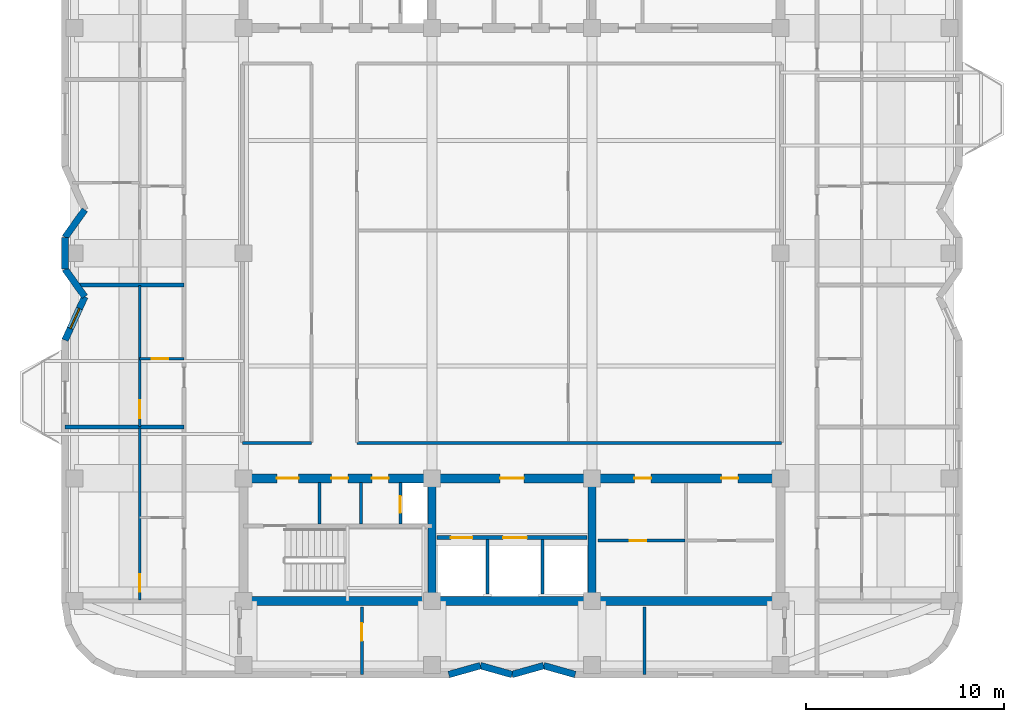
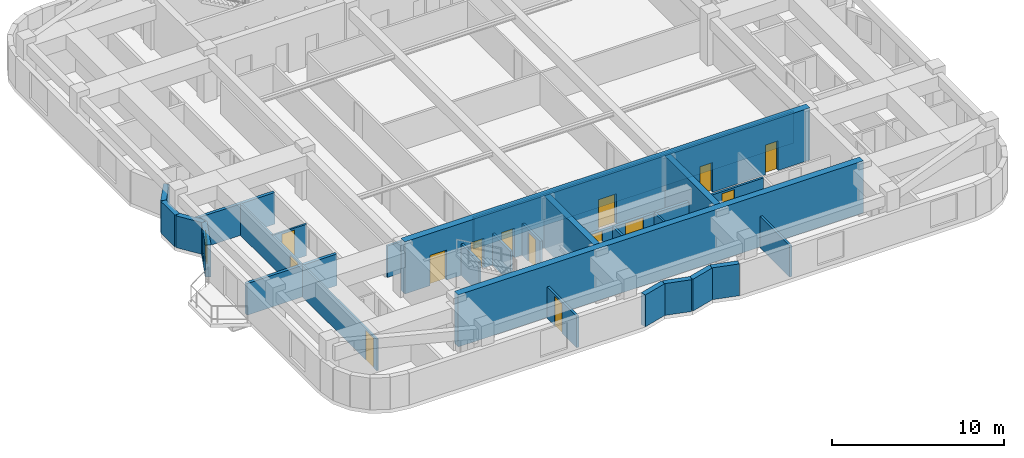
# One storey, part 3 of 9: 28 walls, 14 doors, 1 window, 15 openings.
"""IFC4 building model written with IfcOpenShell, lengths in metres."""

from ifc_helpers import new_model, si_unit, direction, frame, frame_2d, origin, place, context, subcontext, project, spatial, rectangle, extrude, material, layer, layer_set, type_object, element, fill, save


model = new_model("IFC4")

# Units and contexts
model_context = context("Model", 3, precision=1e-05, world=origin(), true_north=direction((0.0, 1.0)))
body_context = subcontext(model_context, "Body", "Model", "MODEL_VIEW")
ifc_project = project(units=[si_unit("LENGTHUNIT", "METRE"), si_unit("AREAUNIT", "SQUARE_METRE"), si_unit("VOLUMEUNIT", "CUBIC_METRE"), si_unit("PLANEANGLEUNIT", "RADIAN"), si_unit("MASSUNIT", "GRAM", prefix="KILO")], contexts=[model_context])

# Site, building, storey
site_placement = place(None, origin())
site = spatial("IfcSite", under=ifc_project, at=site_placement, CompositionType="ELEMENT")
building_placement = place(site_placement, origin())
building = spatial("IfcBuilding", under=site, at=building_placement, Name="Svetorya Sky Lyceum", CompositionType="ELEMENT")
storey_placement = place(building_placement, frame((0.0, 0.0, 222.10009765625)))
storey = spatial("IfcBuildingStorey", under=building, at=storey_placement, Name="L55", CompositionType="ELEMENT", Elevation=222.10009765625)

# Walls
ifc_material_1 = material(Name="Concrete C40/50", Category="concrete")
ifc_layer_1 = layer(ifc_material_1, 0.39990234375)
ifc_layer_set_1 = layer_set([ifc_layer_1], Name="Concrete C40/50")
wall_type_1 = type_object("IfcWallType", Name="WL-CORE-400", PredefinedType="SHEAR", material=ifc_layer_set_1)
for number, where, z_axis, x_axis, name in (
    (1, (35.14990234375, 10.824951171875, 0.0), (0.0, 0.0, 1.0), (0.0, 1.0, 0.0), "L55 SC Internal Shear Web WEB1"),
    (2, (43.25, 10.824951171875, 0.0), (0.0, 0.0, 1.0), (0.0, 1.0, 0.0), "L55 SC Internal Shear Web WEB2"),
):
    element("IfcWall", number, at=place(storey_placement, frame(where, z_axis=z_axis, x_axis=x_axis)), inside=storey, type_object=wall_type_1, Name=name, PredefinedType="SHEAR", context=body_context, shape_type="SweptSolid", body=[
        extrude(rectangle(XDim=5.75, YDim=0.39990234375, at=frame_2d((2.875, 0.0))), origin(), (0.0, 0.0, 1.0), 3.699951171875),
    ])
ifc_material_2 = material(Name="Concrete C50/60", Category="concrete")
ifc_layer_2 = layer(ifc_material_2, 0.449951171875)
ifc_layer_set_2 = layer_set([ifc_layer_2], Name="Concrete C50/60")
wall_type_2 = type_object("IfcWallType", Name="WL-CORE-450", PredefinedType="SHEAR", material=ifc_layer_set_2)
wall_1_placement = place(storey_placement, frame((52.800048828125, 10.60009765625, 0.0), z_axis=(0.0, 0.0, 1.0), x_axis=(-1.0, 0.0, 0.0)))
element("IfcWall", 3, at=wall_1_placement, inside=storey, type_object=wall_type_2, Name="L55 SC Outer Core Shear Wall", PredefinedType="SHEAR", context=body_context, shape_type="SweptSolid", body=[
    extrude(rectangle(XDim=27.199951171875, YDim=0.449951171875, at=frame_2d((13.60009765625, 0.0))), origin(), (0.0, 0.0, 1.0), 3.699951171875),
])

# Wall, openings, doors
wall_2_placement = place(storey_placement, frame((25.60009765625, 16.800048828125, 0.0), z_axis=(0.0, 0.0, 1.0), x_axis=(1.0, 0.0, 0.0)))
wall_2 = element("IfcWall", 4, at=wall_2_placement, inside=storey, type_object=wall_type_2, Name="L55 SC Inner Core Shear Wall", PredefinedType="SHEAR", context=body_context, shape_type="SweptSolid", body=[
    extrude(rectangle(XDim=27.199951171875, YDim=0.449951171875, at=frame_2d((13.60009765625, 0.0))), origin(), (0.0, 0.0, 1.0), 3.699951171875),
])
opening_1_placement = place(wall_2_placement, frame((1.699951171875, 0.0, 0.0)))
opening_1 = element("IfcOpeningElement", 5, at=opening_1_placement, cuts=wall_2, Name="Opening D-ST1", PredefinedType="OPENING", context=body_context, shape_type="SweptSolid", body=[
    extrude(rectangle(XDim=1.10009765625, YDim=2.14990234375, at=frame_2d((0.550048828125, 1.074951171875))), frame((0.0, 0.23486328125, 0.0), z_axis=(0.0, -1.0, 0.0), x_axis=(1.0, 0.0, 0.0)), (0.0, 0.0, 1.0), 0.469970703125),
])
opening_2_placement = place(wall_2_placement, frame((4.449951171875, 0.0, 0.0)))
opening_2 = element("IfcOpeningElement", 6, at=opening_2_placement, cuts=wall_2, Name="Opening D-CWC1", PredefinedType="OPENING", context=body_context, shape_type="SweptSolid", body=[
    extrude(rectangle(XDim=0.85009765625, YDim=2.10009765625, at=frame_2d((0.425048828125, 1.050048828125))), frame((0.0, 0.23486328125, 0.0), z_axis=(0.0, -1.0, 0.0), x_axis=(1.0, 0.0, 0.0)), (0.0, 0.0, 1.0), 0.469970703125),
])
opening_3_placement = place(wall_2_placement, frame((6.5, 0.0, 0.0)))
opening_3 = element("IfcOpeningElement", 7, at=opening_3_placement, cuts=wall_2, Name="Opening D-CWC1", PredefinedType="OPENING", context=body_context, shape_type="SweptSolid", body=[
    extrude(rectangle(XDim=0.85009765625, YDim=2.10009765625, at=frame_2d((0.425048828125, 1.050048828125))), frame((0.0, 0.23486328125, 0.0), z_axis=(0.0, -1.0, 0.0), x_axis=(1.0, 0.0, 0.0)), (0.0, 0.0, 1.0), 0.469970703125),
])
opening_4_placement = place(wall_2_placement, frame((13.0, 0.0, 0.0)))
opening_4 = element("IfcOpeningElement", 8, at=opening_4_placement, cuts=wall_2, Name="Opening D-FL1", PredefinedType="OPENING", context=body_context, shape_type="SweptSolid", body=[
    extrude(rectangle(XDim=1.199951171875, YDim=2.14990234375, at=frame_2d((0.60009765625, 1.074951171875))), frame((0.0, 0.23486328125, 0.0), z_axis=(0.0, -1.0, 0.0), x_axis=(1.0, 0.0, 0.0)), (0.0, 0.0, 1.0), 0.469970703125),
])
opening_5_placement = place(wall_2_placement, frame((19.800048828125, 0.0, 0.0)))
opening_5 = element("IfcOpeningElement", 9, at=opening_5_placement, cuts=wall_2, Name="Opening D-CWC1", PredefinedType="OPENING", context=body_context, shape_type="SweptSolid", body=[
    extrude(rectangle(XDim=0.85009765625, YDim=2.10009765625, at=frame_2d((0.425048828125, 1.050048828125))), frame((0.0, 0.23486328125, 0.0), z_axis=(0.0, -1.0, 0.0), x_axis=(1.0, 0.0, 0.0)), (0.0, 0.0, 1.0), 0.469970703125),
])
opening_6_placement = place(wall_2_placement, frame((24.199951171875, 0.0, 0.0)))
opening_6 = element("IfcOpeningElement", 10, at=opening_6_placement, cuts=wall_2, Name="Opening D-CWC1", PredefinedType="OPENING", context=body_context, shape_type="SweptSolid", body=[
    extrude(rectangle(XDim=0.85009765625, YDim=2.10009765625, at=frame_2d((0.425048828125, 1.050048828125))), frame((0.0, 0.23486328125, 0.0), z_axis=(0.0, -1.0, 0.0), x_axis=(1.0, 0.0, 0.0)), (0.0, 0.0, 1.0), 0.469970703125),
])
ifc_material_3 = material(Name="Fire-rated galvanized steel core service closet door", Category="steel")
door_type_1 = type_object("IfcDoorType", Name="DR-CWET-850", OperationType="SINGLE_SWING_LEFT", PredefinedType="DOOR", material=ifc_material_3)
door_1_placement = place(opening_2_placement, origin())
door_1 = element("IfcDoor", 11, at=door_1_placement, inside=storey, type_object=door_type_1, Name="L55 South Mop Closet Door", OperationType="SINGLE_SWING_LEFT", OverallHeight=2.10009765625, OverallWidth=0.85009765625, PredefinedType="DOOR", context=body_context, shape_type="SweptSolid", body=[
    extrude(rectangle(XDim=0.85009765625, YDim=2.10009765625, at=frame_2d((0.425048828125, 1.050048828125))), frame((0.0, 0.02490234375, 0.0), z_axis=(0.0, -1.0, 0.0), x_axis=(1.0, 0.0, 0.0)), (0.0, 0.0, 1.0), 0.050048828125),
])
fill(opening_2, door_1)
door_2_placement = place(opening_3_placement, origin())
door_2 = element("IfcDoor", 12, at=door_2_placement, inside=storey, type_object=door_type_1, Name="L55 South West WC Door", OperationType="SINGLE_SWING_RIGHT", OverallHeight=2.10009765625, OverallWidth=0.85009765625, PredefinedType="DOOR", context=body_context, shape_type="SweptSolid", body=[
    extrude(rectangle(XDim=0.85009765625, YDim=2.10009765625, at=frame_2d((0.425048828125, 1.050048828125))), frame((0.0, 0.02490234375, 0.0), z_axis=(0.0, -1.0, 0.0), x_axis=(1.0, 0.0, 0.0)), (0.0, 0.0, 1.0), 0.050048828125),
])
fill(opening_3, door_2)
door_3_placement = place(opening_5_placement, origin())
door_3 = element("IfcDoor", 13, at=door_3_placement, inside=storey, type_object=door_type_1, Name="L55 Housekeeping Door", OperationType="SINGLE_SWING_LEFT", OverallHeight=2.10009765625, OverallWidth=0.85009765625, PredefinedType="DOOR", context=body_context, shape_type="SweptSolid", body=[
    extrude(rectangle(XDim=0.85009765625, YDim=2.10009765625, at=frame_2d((0.425048828125, 1.050048828125))), frame((0.0, 0.02490234375, 0.0), z_axis=(0.0, -1.0, 0.0), x_axis=(1.0, 0.0, 0.0)), (0.0, 0.0, 1.0), 0.050048828125),
])
fill(opening_5, door_3)
door_4_placement = place(opening_6_placement, origin())
door_4 = element("IfcDoor", 14, at=door_4_placement, inside=storey, type_object=door_type_1, Name="L55 South WC Door", OperationType="SINGLE_SWING_RIGHT", OverallHeight=2.10009765625, OverallWidth=0.85009765625, PredefinedType="DOOR", context=body_context, shape_type="SweptSolid", body=[
    extrude(rectangle(XDim=0.85009765625, YDim=2.10009765625, at=frame_2d((0.425048828125, 1.050048828125))), frame((0.0, 0.02490234375, 0.0), z_axis=(0.0, -1.0, 0.0), x_axis=(1.0, 0.0, 0.0)), (0.0, 0.0, 1.0), 0.050048828125),
])
fill(opening_6, door_4)
ifc_material_4 = material(Name="Powder-coated insulated galvanized stair fire door")
door_type_2 = type_object("IfcDoorType", Name="DR-FIRE-1100", OperationType="SINGLE_SWING_LEFT", PredefinedType="DOOR", material=ifc_material_4)
door_5_placement = place(opening_1_placement, origin())
door_5 = element("IfcDoor", 15, at=door_5_placement, inside=storey, type_object=door_type_2, Name="L55 South Stair Airlock Door", OperationType="SINGLE_SWING_RIGHT", OverallHeight=2.14990234375, OverallWidth=1.10009765625, PredefinedType="DOOR", context=body_context, shape_type="SweptSolid", body=[
    extrude(rectangle(XDim=1.10009765625, YDim=2.14990234375, at=frame_2d((0.550048828125, 1.074951171875))), frame((0.0, 0.02490234375, 0.0), z_axis=(0.0, -1.0, 0.0), x_axis=(1.0, 0.0, 0.0)), (0.0, 0.0, 1.0), 0.050048828125),
])
fill(opening_1, door_5)
ifc_material_5 = material(Name="Powder-coated insulated galvanized fire door")
door_type_3 = type_object("IfcDoorType", Name="DR-FIRE-1200", OperationType="SINGLE_SWING_LEFT", PredefinedType="DOOR", material=ifc_material_5)
door_6_placement = place(opening_4_placement, origin())
door_6 = element("IfcDoor", 16, at=door_6_placement, inside=storey, type_object=door_type_3, Name="L55 South Firefighting Lift Lobby Door", OperationType="SINGLE_SWING_LEFT", OverallHeight=2.14990234375, OverallWidth=1.199951171875, PredefinedType="DOOR", context=body_context, shape_type="SweptSolid", body=[
    extrude(rectangle(XDim=1.199951171875, YDim=2.14990234375, at=frame_2d((0.60009765625, 1.074951171875))), frame((0.0, 0.02490234375, 0.0), z_axis=(0.0, -1.0, 0.0), x_axis=(1.0, 0.0, 0.0)), (0.0, 0.0, 1.0), 0.050048828125),
])
fill(opening_4, door_6)

# Walls
ifc_material_6 = material(Name="Putilovo limestone rainscreen on autoclaved cellular masonry", Category="masonry")
ifc_layer_3 = layer(ifc_material_6, 0.340087890625)
ifc_layer_set_3 = layer_set([ifc_layer_3], Name="Putilovo limestone rainscreen on autoclaved cellular masonry")
wall_type_3 = type_object("IfcWallType", Name="WL-EXT-340", PredefinedType="SOLIDWALL", material=ifc_layer_set_3)
wall_3_placement = place(storey_placement, frame((36.0, 6.8701171875, 0.0), z_axis=(0.0, 0.0, 1.0), x_axis=(0.962662902433, 0.270703040766, 0.0)))
element("IfcWall", 17, at=wall_3_placement, inside=storey, type_object=wall_type_3, Name="L55 Limestone Exterior Wall 7M", PredefinedType="SOLIDWALL", context=body_context, shape_type="SweptSolid", body=[
    extrude(rectangle(XDim=1.662109375, YDim=0.340087890625, at=frame_2d((0.8310546875, 0.0))), origin(), (0.0, 0.0, 1.0), 2.260009765625),
])
wall_4_placement = place(storey_placement, frame((37.60009765625, 7.320068359375, 0.0), z_axis=(0.0, 0.0, 1.0), x_axis=(0.962652136636, -0.270741322725, 0.0)))
element("IfcWall", 18, at=wall_4_placement, inside=storey, type_object=wall_type_3, Name="L55 Limestone Exterior Wall 8M", PredefinedType="SOLIDWALL", context=body_context, shape_type="SweptSolid", body=[
    extrude(rectangle(XDim=1.661865234375, YDim=0.340087890625, at=frame_2d((0.8310546875, 0.0))), origin(), (0.0, 0.0, 1.0), 2.260009765625),
])
wall_5_placement = place(storey_placement, frame((39.199951171875, 6.8701171875, 0.0), z_axis=(0.0, 0.0, 1.0), x_axis=(0.962662902433, 0.270703040766, 0.0)))
element("IfcWall", 19, at=wall_5_placement, inside=storey, type_object=wall_type_3, Name="L55 Limestone Exterior Wall 9M", PredefinedType="SOLIDWALL", context=body_context, shape_type="SweptSolid", body=[
    extrude(rectangle(XDim=1.662109375, YDim=0.340087890625, at=frame_2d((0.8310546875, 0.0))), origin(), (0.0, 0.0, 1.0), 2.260009765625),
])
wall_6_placement = place(storey_placement, frame((40.800048828125, 7.320068359375, 0.0), z_axis=(0.0, 0.0, 1.0), x_axis=(0.962652136636, -0.270741322725, 0.0)))
element("IfcWall", 20, at=wall_6_placement, inside=storey, type_object=wall_type_3, Name="L55 Limestone Exterior Wall 10M", PredefinedType="SOLIDWALL", context=body_context, shape_type="SweptSolid", body=[
    extrude(rectangle(XDim=1.661865234375, YDim=0.340087890625, at=frame_2d((0.8310546875, 0.0))), origin(), (0.0, 0.0, 1.0), 2.260009765625),
])
wall_7_placement = place(storey_placement, frame((17.570068359375, 30.39990234375, 0.0), z_axis=(0.0, 0.0, 1.0), x_axis=(-0.581265041318, -0.813714293681, 0.0)))
element("IfcWall", 21, at=wall_7_placement, inside=storey, type_object=wall_type_3, Name="L55 Limestone Exterior Wall 42M", PredefinedType="SOLIDWALL", context=body_context, shape_type="SweptSolid", body=[
    extrude(rectangle(XDim=1.720458984375, YDim=0.340087890625, at=frame_2d((0.8603515625, 0.0))), origin(), (0.0, 0.0, 1.0), 2.260009765625),
])
wall_8_placement = place(storey_placement, frame((16.570068359375, 29.0, 0.0), z_axis=(0.0, 0.0, 1.0), x_axis=(0.0, -1.0, 0.0)))
element("IfcWall", 22, at=wall_8_placement, inside=storey, type_object=wall_type_3, Name="L55 Limestone Exterior Wall 43M", PredefinedType="SOLIDWALL", context=body_context, shape_type="SweptSolid", body=[
    extrude(rectangle(XDim=1.60009765625, YDim=0.340087890625, at=frame_2d((0.800048828125, 0.0))), origin(), (0.0, 0.0, 1.0), 2.260009765625),
])
wall_9_placement = place(storey_placement, frame((16.570068359375, 27.39990234375, 0.0), z_axis=(0.0, 0.0, 1.0), x_axis=(0.581265041318, -0.813714293681, 0.0)))
element("IfcWall", 23, at=wall_9_placement, inside=storey, type_object=wall_type_3, Name="L55 Limestone Exterior Wall 44M", PredefinedType="SOLIDWALL", context=body_context, shape_type="SweptSolid", body=[
    extrude(rectangle(XDim=1.720458984375, YDim=0.340087890625, at=frame_2d((0.8603515625, 0.0))), origin(), (0.0, 0.0, 1.0), 2.260009765625),
])

# Wall, opening, window
wall_10_placement = place(storey_placement, frame((17.570068359375, 26.0, 0.0), z_axis=(0.0, 0.0, 1.0), x_axis=(-0.413810555983, -0.910363017569, 0.0)))
wall_10 = element("IfcWall", 24, at=wall_10_placement, inside=storey, type_object=wall_type_3, Name="L55 Limestone Exterior Wall 45M", PredefinedType="SOLIDWALL", context=body_context, shape_type="SweptSolid", body=[
    extrude(rectangle(XDim=2.41650390625, YDim=0.340087890625, at=frame_2d((1.208251953125, 0.0))), origin(), (0.0, 0.0, 1.0), 2.260009765625),
])
opening_7_placement = place(wall_10_placement, frame((0.658203125, 0.0, 0.449951171875)))
opening_7 = element("IfcOpeningElement", 25, at=opening_7_placement, cuts=wall_10, Name="Opening W-R3", PredefinedType="OPENING", context=body_context, shape_type="SweptSolid", body=[
    extrude(rectangle(XDim=1.10009765625, YDim=1.64990234375, at=frame_2d((0.550048828125, 0.824951171875))), frame((0.0, 0.179931640625, 0.0), z_axis=(0.0, -1.0, 0.0), x_axis=(1.0, 0.0, 0.0)), (0.0, 0.0, 1.0), 0.360107421875),
])
ifc_material_7 = material(Name="Thermally broken aluminium frame with triple low-E glazing", Category="aluminium")
window_type = type_object("IfcWindowType", Name="WN-RES-110", PartitioningType="SINGLE_PANEL", PredefinedType="WINDOW", material=ifc_material_7)
window_placement = place(opening_7_placement, origin())
window = element("IfcWindow", 26, at=window_placement, inside=storey, type_object=window_type, Name="L55 Facade Window W-R3.45M.1", OverallHeight=1.64990234375, OverallWidth=1.10009765625, PartitioningType="SINGLE_PANEL", PredefinedType="WINDOW", context=body_context, shape_type="SweptSolid", body=[
    extrude(rectangle(XDim=1.10009765625, YDim=1.64990234375, at=frame_2d((0.550048828125, 0.824951171875))), frame((0.0, 0.030029296875, 0.0), z_axis=(0.0, -1.0, 0.0), x_axis=(1.0, 0.0, 0.0)), (0.0, 0.0, 1.0), 0.06005859375),
])
fill(opening_7, window)

# Wall, opening, door
ifc_material_8 = material(Name="Twin-stud galvanized framing with double fireboard", Category="gypsum")
ifc_layer_4 = layer(ifc_material_8, 0.1201171875)
ifc_layer_set_4 = layer_set([ifc_layer_4], Name="Twin-stud galvanized framing with double fireboard")
wall_type_4 = type_object("IfcWallType", Name="WL-PART-120", PredefinedType="PARTITIONING", material=ifc_layer_set_4)
wall_11_placement = place(storey_placement, frame((20.35009765625, 10.639892578125, 0.0), z_axis=(0.0, 0.0, 1.0), x_axis=(0.0, 1.0, 0.0)))
wall_11 = element("IfcWall", 27, at=wall_11_placement, inside=storey, type_object=wall_type_4, Name="L55 Interior Partition W1-WV", PredefinedType="PARTITIONING", context=body_context, shape_type="SweptSolid", body=[
    extrude(rectangle(XDim=8.72021484375, YDim=0.1201171875, at=frame_2d((4.360107421875, 0.0))), origin(), (0.0, 0.0, 1.0), 2.239990234375),
])
opening_8_placement = place(wall_11_placement, frame((0.409912109375, 0.0, 0.0)))
opening_8 = element("IfcOpeningElement", 28, at=opening_8_placement, cuts=wall_11, Name="Opening D-RM1", PredefinedType="OPENING", context=body_context, shape_type="SweptSolid", body=[
    extrude(rectangle(XDim=0.89990234375, YDim=2.10009765625, at=frame_2d((0.449951171875, 1.050048828125))), frame((0.0, 0.070068359375, 0.0), z_axis=(0.0, -1.0, 0.0), x_axis=(1.0, 0.0, 0.0)), (0.0, 0.0, 1.0), 0.14013671875),
])
ifc_material_9 = material(Name="Lacquered birch veneer internal door")
door_type_4 = type_object("IfcDoorType", Name="DR-INT-900", OperationType="SINGLE_SWING_LEFT", PredefinedType="DOOR", material=ifc_material_9)
door_7_placement = place(opening_8_placement, origin())
door_7 = element("IfcDoor", 29, at=door_7_placement, inside=storey, type_object=door_type_4, Name="Apartment W1 Living Door", OperationType="SINGLE_SWING_RIGHT", OverallHeight=2.10009765625, OverallWidth=0.89990234375, PredefinedType="DOOR", context=body_context, shape_type="SweptSolid", body=[
    extrude(rectangle(XDim=0.89990234375, YDim=2.10009765625, at=frame_2d((0.449951171875, 1.050048828125))), frame((0.0, 0.02490234375, 0.0), z_axis=(0.0, -1.0, 0.0), x_axis=(1.0, 0.0, 0.0)), (0.0, 0.0, 1.0), 0.050048828125),
])
fill(opening_8, door_7)

wall_12_placement = place(storey_placement, frame((20.35009765625, 22.860107421875, 0.0), z_axis=(0.0, 0.0, 1.0), x_axis=(1.0, 0.0, 0.0)))
wall_12 = element("IfcWall", 30, at=wall_12_placement, inside=storey, type_object=wall_type_4, Name="L55 Interior Partition W2-WH1", PredefinedType="PARTITIONING", context=body_context, shape_type="SweptSolid", body=[
    extrude(rectangle(XDim=2.25, YDim=0.1201171875, at=frame_2d((1.125, 0.0))), origin(), (0.0, 0.0, 1.0), 2.239990234375),
])
opening_9_placement = place(wall_12_placement, frame((0.60009765625, 0.0, 0.0)))
opening_9 = element("IfcOpeningElement", 31, at=opening_9_placement, cuts=wall_12, Name="Opening D-BT1", PredefinedType="OPENING", context=body_context, shape_type="SweptSolid", body=[
    extrude(rectangle(XDim=0.85009765625, YDim=2.10009765625, at=frame_2d((0.425048828125, 1.050048828125))), frame((0.0, 0.070068359375, 0.0), z_axis=(0.0, -1.0, 0.0), x_axis=(1.0, 0.0, 0.0)), (0.0, 0.0, 1.0), 0.14013671875),
])
ifc_material_10 = material(Name="Moisture-resistant laminate bathroom door")
door_type_5 = type_object("IfcDoorType", Name="DR-WET-850", OperationType="SINGLE_SWING_LEFT", PredefinedType="DOOR", material=ifc_material_10)
door_8_placement = place(opening_9_placement, origin())
door_8 = element("IfcDoor", 32, at=door_8_placement, inside=storey, type_object=door_type_5, Name="Apartment W2 Bathroom Door", OperationType="SINGLE_SWING_RIGHT", OverallHeight=2.10009765625, OverallWidth=0.85009765625, PredefinedType="DOOR", context=body_context, shape_type="SweptSolid", body=[
    extrude(rectangle(XDim=0.85009765625, YDim=2.10009765625, at=frame_2d((0.425048828125, 1.050048828125))), frame((0.0, 0.02490234375, 0.0), z_axis=(0.0, -1.0, 0.0), x_axis=(1.0, 0.0, 0.0)), (0.0, 0.0, 1.0), 0.050048828125),
])
fill(opening_9, door_8)

wall_13_placement = place(storey_placement, frame((20.35009765625, 19.43994140625, 0.0), z_axis=(0.0, 0.0, 1.0), x_axis=(0.0, 1.0, 0.0)))
wall_13 = element("IfcWall", 33, at=wall_13_placement, inside=storey, type_object=wall_type_4, Name="L55 Interior Partition W2-WV", PredefinedType="PARTITIONING", context=body_context, shape_type="SweptSolid", body=[
    extrude(rectangle(XDim=7.1201171875, YDim=0.1201171875, at=frame_2d((3.56005859375, 0.0))), origin(), (0.0, 0.0, 1.0), 2.239990234375),
])
opening_10_placement = place(wall_13_placement, frame((0.409912109375, 0.0, 0.0)))
opening_10 = element("IfcOpeningElement", 34, at=opening_10_placement, cuts=wall_13, Name="Opening D-RM1", PredefinedType="OPENING", context=body_context, shape_type="SweptSolid", body=[
    extrude(rectangle(XDim=0.89990234375, YDim=2.10009765625, at=frame_2d((0.449951171875, 1.050048828125))), frame((0.0, 0.070068359375, 0.0), z_axis=(0.0, -1.0, 0.0), x_axis=(1.0, 0.0, 0.0)), (0.0, 0.0, 1.0), 0.14013671875),
])
door_9_placement = place(opening_10_placement, origin())
door_9 = element("IfcDoor", 35, at=door_9_placement, inside=storey, type_object=door_type_4, Name="Apartment W2 Living Door", OperationType="SINGLE_SWING_LEFT", OverallHeight=2.10009765625, OverallWidth=0.89990234375, PredefinedType="DOOR", context=body_context, shape_type="SweptSolid", body=[
    extrude(rectangle(XDim=0.89990234375, YDim=2.10009765625, at=frame_2d((0.449951171875, 1.050048828125))), frame((0.0, 0.02490234375, 0.0), z_axis=(0.0, -1.0, 0.0), x_axis=(1.0, 0.0, 0.0)), (0.0, 0.0, 1.0), 0.050048828125),
])
fill(opening_10, door_9)

# Walls
ifc_material_11 = material(Name="Autoclaved cellular masonry blockwork with acoustic render", Category="masonry")
ifc_layer_5 = layer(ifc_material_11, 0.14990234375)
ifc_layer_set_5 = layer_set([ifc_layer_5], Name="Autoclaved cellular masonry blockwork with acoustic render")
wall_type_5 = type_object("IfcWallType", Name="WL-PART-150", PredefinedType="PARTITIONING", material=ifc_layer_set_5)
for number, where, z_axis, x_axis, name in (
    (36, (29.449951171875, 14.5, 0.0), (0.0, 0.0, 1.0), (0.0, 1.0, 0.0), "L55 Interior Partition SC-SWD1"),
    (37, (31.550048828125, 14.5, 0.0), (0.0, 0.0, 1.0), (0.0, 1.0, 0.0), "L55 Interior Partition SC-SWD2"),
):
    element("IfcWall", number, at=place(storey_placement, frame(where, z_axis=z_axis, x_axis=x_axis)), inside=storey, type_object=wall_type_5, Name=name, PredefinedType="PARTITIONING", context=body_context, shape_type="SweptSolid", body=[
        extrude(rectangle(XDim=2.080078125, YDim=0.14990234375, at=frame_2d((1.0400390625, 0.0))), origin(), (0.0, 0.0, 1.0), 2.239990234375),
    ])

# Wall, opening, door
wall_14_placement = place(storey_placement, frame((33.550048828125, 14.5, 0.0), z_axis=(0.0, 0.0, 1.0), x_axis=(0.0, 1.0, 0.0)))
wall_14 = element("IfcWall", 38, at=wall_14_placement, inside=storey, type_object=wall_type_5, Name="L55 Interior Partition SC-SWD3", PredefinedType="PARTITIONING", context=body_context, shape_type="SweptSolid", body=[
    extrude(rectangle(XDim=2.080078125, YDim=0.14990234375, at=frame_2d((1.0400390625, 0.0))), origin(), (0.0, 0.0, 1.0), 2.239990234375),
])
opening_11_placement = place(wall_14_placement, frame((0.550048828125, 0.0, 0.0)))
opening_11 = element("IfcOpeningElement", 39, at=opening_11_placement, cuts=wall_14, Name="Opening D-SH1", PredefinedType="OPENING", context=body_context, shape_type="SweptSolid", body=[
    extrude(rectangle(XDim=0.85009765625, YDim=2.050048828125, at=frame_2d((0.425048828125, 1.02490234375))), frame((0.0, 0.0849609375, 0.0), z_axis=(0.0, -1.0, 0.0), x_axis=(1.0, 0.0, 0.0)), (0.0, 0.0, 1.0), 0.169921875),
])
ifc_material_12 = material(Name="Insulated galvanized riser inspection fire door")
door_type_6 = type_object("IfcDoorType", Name="DR-SHFT-850", OperationType="SINGLE_SWING_LEFT", PredefinedType="TRAPDOOR", material=ifc_material_12)
door_10_placement = place(opening_11_placement, origin())
door_10 = element("IfcDoor", 40, at=door_10_placement, inside=storey, type_object=door_type_6, Name="L55 South Riser Access Door", OperationType="SINGLE_SWING_RIGHT", OverallHeight=2.050048828125, OverallWidth=0.85009765625, PredefinedType="TRAPDOOR", context=body_context, shape_type="SweptSolid", body=[
    extrude(rectangle(XDim=0.85009765625, YDim=2.050048828125, at=frame_2d((0.425048828125, 1.02490234375))), frame((0.0, 0.02490234375, 0.0), z_axis=(0.0, -1.0, 0.0), x_axis=(1.0, 0.0, 0.0)), (0.0, 0.0, 1.0), 0.050048828125),
])
fill(opening_11, door_10)

# Walls
for number, where, z_axis, x_axis, name in (
    (41, (37.949951171875, 10.949951171875, 0.0), (0.0, 0.0, 1.0), (0.0, 1.0, 0.0), "L55 Interior Partition SC-SHD1"),
    (42, (40.75, 10.949951171875, 0.0), (0.0, 0.0, 1.0), (0.0, 1.0, 0.0), "L55 Interior Partition SC-SHD2"),
):
    element("IfcWall", number, at=place(storey_placement, frame(where, z_axis=z_axis, x_axis=x_axis)), inside=storey, type_object=wall_type_5, Name=name, PredefinedType="PARTITIONING", context=body_context, shape_type="SweptSolid", body=[
        extrude(rectangle(XDim=2.75, YDim=0.14990234375, at=frame_2d((1.375, 0.0))), origin(), (0.0, 0.0, 1.0), 2.239990234375),
    ])

# Wall, opening, door
wall_15_placement = place(storey_placement, frame((43.550048828125, 13.64990234375, 0.0), z_axis=(0.0, 0.0, 1.0), x_axis=(1.0, 0.0, 0.0)))
wall_15 = element("IfcWall", 43, at=wall_15_placement, inside=storey, type_object=wall_type_5, Name="L55 Interior Partition SC-LV7-HW", PredefinedType="PARTITIONING", context=body_context, shape_type="SweptSolid", body=[
    extrude(rectangle(XDim=4.39990234375, YDim=0.14990234375, at=frame_2d((2.199951171875, 0.0))), origin(), (0.0, 0.0, 1.0), 2.239990234375),
])
opening_12_placement = place(wall_15_placement, frame((1.60009765625, 0.0, 0.0)))
opening_12 = element("IfcOpeningElement", 44, at=opening_12_placement, cuts=wall_15, Name="Opening D-CWC1", PredefinedType="OPENING", context=body_context, shape_type="SweptSolid", body=[
    extrude(rectangle(XDim=0.85009765625, YDim=2.10009765625, at=frame_2d((0.425048828125, 1.050048828125))), frame((0.0, 0.0849609375, 0.0), z_axis=(0.0, -1.0, 0.0), x_axis=(1.0, 0.0, 0.0)), (0.0, 0.0, 1.0), 0.169921875),
])
door_11_placement = place(opening_12_placement, origin())
door_11 = element("IfcDoor", 45, at=door_11_placement, inside=storey, type_object=door_type_1, Name="L55 South Electrical Room Door", OperationType="SINGLE_SWING_LEFT", OverallHeight=2.10009765625, OverallWidth=0.85009765625, PredefinedType="DOOR", context=body_context, shape_type="SweptSolid", body=[
    extrude(rectangle(XDim=0.85009765625, YDim=2.10009765625, at=frame_2d((0.425048828125, 1.050048828125))), frame((0.0, 0.02490234375, 0.0), z_axis=(0.0, -1.0, 0.0), x_axis=(1.0, 0.0, 0.0)), (0.0, 0.0, 1.0), 0.050048828125),
])
fill(opening_12, door_11)

# Walls
wall_16_placement = place(storey_placement, frame((25.550048828125, 18.60009765625, 0.0), z_axis=(0.0, 0.0, 1.0), x_axis=(1.0, 0.0, 0.0)))
element("IfcWall", 46, at=wall_16_placement, inside=storey, type_object=wall_type_5, Name="L55 Interior Partition OFF-CS-W", PredefinedType="PARTITIONING", context=body_context, shape_type="SweptSolid", body=[
    extrude(rectangle(XDim=3.5, YDim=0.14990234375, at=frame_2d((1.75, 0.0))), origin(), (0.0, 0.0, 1.0), 2.239990234375),
])
wall_17_placement = place(storey_placement, frame((31.35009765625, 18.60009765625, 0.0), z_axis=(0.0, 0.0, 1.0), x_axis=(1.0, 0.0, 0.0)))
element("IfcWall", 47, at=wall_17_placement, inside=storey, type_object=wall_type_5, Name="L55 Interior Partition OFF-CS-E", PredefinedType="PARTITIONING", context=body_context, shape_type="SweptSolid", body=[
    extrude(rectangle(XDim=21.5, YDim=0.14990234375, at=frame_2d((10.75, 0.0))), origin(), (0.0, 0.0, 1.0), 2.239990234375),
])

# Wall, opening, door
wall_18_placement = place(storey_placement, frame((31.60009765625, 6.8701171875, 0.0), z_axis=(0.0, 0.0, 1.0), x_axis=(0.0, 1.0, 0.0)))
wall_18 = element("IfcWall", 48, at=wall_18_placement, inside=storey, type_object=wall_type_5, Name="L55 Interior Partition S-D1", PredefinedType="PARTITIONING", context=body_context, shape_type="SweptSolid", body=[
    extrude(rectangle(XDim=3.429931640625, YDim=0.14990234375, at=frame_2d((1.71484375, 0.0))), origin(), (0.0, 0.0, 1.0), 2.239990234375),
])
opening_13_placement = place(wall_18_placement, frame((1.699951171875, 0.0, 0.0)))
opening_13 = element("IfcOpeningElement", 49, at=opening_13_placement, cuts=wall_18, Name="Opening D-RM1", PredefinedType="OPENING", context=body_context, shape_type="SweptSolid", body=[
    extrude(rectangle(XDim=0.89990234375, YDim=2.10009765625, at=frame_2d((0.449951171875, 1.050048828125))), frame((0.0, 0.0849609375, 0.0), z_axis=(0.0, -1.0, 0.0), x_axis=(1.0, 0.0, 0.0)), (0.0, 0.0, 1.0), 0.169921875),
])
door_12_placement = place(opening_13_placement, origin())
door_12 = element("IfcDoor", 50, at=door_12_placement, inside=storey, type_object=door_type_4, Name="L55 South Store Door", OperationType="SINGLE_SWING_LEFT", OverallHeight=2.10009765625, OverallWidth=0.89990234375, PredefinedType="DOOR", context=body_context, shape_type="SweptSolid", body=[
    extrude(rectangle(XDim=0.89990234375, YDim=2.10009765625, at=frame_2d((0.449951171875, 1.050048828125))), frame((0.0, 0.02490234375, 0.0), z_axis=(0.0, -1.0, 0.0), x_axis=(1.0, 0.0, 0.0)), (0.0, 0.0, 1.0), 0.050048828125),
])
fill(opening_13, door_12)

# Wall
wall_19_placement = place(storey_placement, frame((45.89990234375, 6.8701171875, 0.0), z_axis=(0.0, 0.0, 1.0), x_axis=(0.0, 1.0, 0.0)))
element("IfcWall", 51, at=wall_19_placement, inside=storey, type_object=wall_type_5, Name="L55 Interior Partition S-D2", PredefinedType="PARTITIONING", context=body_context, shape_type="SweptSolid", body=[
    extrude(rectangle(XDim=3.429931640625, YDim=0.14990234375, at=frame_2d((1.71484375, 0.0))), origin(), (0.0, 0.0, 1.0), 2.239990234375),
])

# Wall, openings, doors
ifc_material_13 = material(Name="Autoclaved cellular masonry blockwork with gypsum plaster", Category="masonry")
ifc_layer_6 = layer(ifc_material_13, 0.199951171875)
ifc_layer_set_6 = layer_set([ifc_layer_6], Name="Autoclaved cellular masonry blockwork with gypsum plaster")
wall_type_6 = type_object("IfcWallType", Name="WL-PART-200", PredefinedType="PARTITIONING", material=ifc_layer_set_6)
wall_20_placement = place(storey_placement, frame((35.39990234375, 13.800048828125, 0.0), z_axis=(0.0, 0.0, 1.0), x_axis=(1.0, 0.0, 0.0)))
wall_20 = element("IfcWall", 52, at=wall_20_placement, inside=storey, type_object=wall_type_6, Name="L55 Interior Partition SC-FLW", PredefinedType="PARTITIONING", context=body_context, shape_type="SweptSolid", body=[
    extrude(rectangle(XDim=7.60009765625, YDim=0.199951171875, at=frame_2d((3.800048828125, 0.0))), origin(), (0.0, 0.0, 1.0), 2.179931640625),
])
opening_14_placement = place(wall_20_placement, frame((0.699951171875, 0.0, 0.0)))
opening_14 = element("IfcOpeningElement", 53, at=opening_14_placement, cuts=wall_20, Name="Opening LD-FL", PredefinedType="OPENING", context=body_context, shape_type="SweptSolid", body=[
    extrude(rectangle(XDim=1.10009765625, YDim=2.14990234375, at=frame_2d((0.550048828125, 1.074951171875))), frame((0.0, 0.10986328125, 0.0), z_axis=(0.0, -1.0, 0.0), x_axis=(1.0, 0.0, 0.0)), (0.0, 0.0, 1.0), 0.219970703125),
])
opening_15_placement = place(wall_20_placement, frame((3.35009765625, 0.0, 0.0)))
opening_15 = element("IfcOpeningElement", 54, at=opening_15_placement, cuts=wall_20, Name="Opening LD-SV", PredefinedType="OPENING", context=body_context, shape_type="SweptSolid", body=[
    extrude(rectangle(XDim=1.199951171875, YDim=2.14990234375, at=frame_2d((0.60009765625, 1.074951171875))), frame((0.0, 0.10986328125, 0.0), z_axis=(0.0, -1.0, 0.0), x_axis=(1.0, 0.0, 0.0)), (0.0, 0.0, 1.0), 0.219970703125),
])
ifc_material_14 = material(Name="Fire-rated stainless AISI 304 firefighting lift landing door")
door_type_7 = type_object("IfcDoorType", Name="DR-LIFT-1100", OperationType="SLIDING_TO_LEFT", PredefinedType="DOOR", material=ifc_material_14)
door_13_placement = place(opening_14_placement, origin())
door_13 = element("IfcDoor", 55, at=door_13_placement, inside=storey, type_object=door_type_7, Name="L55 Firefighting Lift FL2 Landing Door", OperationType="SLIDING_TO_LEFT", OverallHeight=2.14990234375, OverallWidth=1.10009765625, PredefinedType="DOOR", context=body_context, shape_type="SweptSolid", body=[
    extrude(rectangle(XDim=1.10009765625, YDim=2.14990234375, at=frame_2d((0.550048828125, 1.074951171875))), frame((0.0, 0.02490234375, 0.0), z_axis=(0.0, -1.0, 0.0), x_axis=(1.0, 0.0, 0.0)), (0.0, 0.0, 1.0), 0.050048828125),
])
fill(opening_14, door_13)
ifc_material_15 = material(Name="Brushed stainless AISI 304 telescopic lift landing door")
door_type_8 = type_object("IfcDoorType", Name="DR-LIFT-1200", OperationType="SLIDING_TO_LEFT", PredefinedType="DOOR", material=ifc_material_15)
door_14_placement = place(opening_15_placement, origin())
door_14 = element("IfcDoor", 56, at=door_14_placement, inside=storey, type_object=door_type_8, Name="L55 Service Lift SVL1 Landing Door", OperationType="SLIDING_TO_LEFT", OverallHeight=2.14990234375, OverallWidth=1.199951171875, PredefinedType="DOOR", context=body_context, shape_type="SweptSolid", body=[
    extrude(rectangle(XDim=1.199951171875, YDim=2.14990234375, at=frame_2d((0.60009765625, 1.074951171875))), frame((0.0, 0.02490234375, 0.0), z_axis=(0.0, -1.0, 0.0), x_axis=(1.0, 0.0, 0.0)), (0.0, 0.0, 1.0), 0.050048828125),
])
fill(opening_15, door_14)

# Walls
wall_21_placement = place(storey_placement, frame((16.570068359375, 19.39990234375, 0.0), z_axis=(0.0, 0.0, 1.0), x_axis=(1.0, 0.0, 0.0)))
element("IfcWall", 57, at=wall_21_placement, inside=storey, type_object=wall_type_6, Name="L55 Interior Partition W-PARTY-1", PredefinedType="PARTITIONING", context=body_context, shape_type="SweptSolid", body=[
    extrude(rectangle(XDim=6.030029296875, YDim=0.199951171875, at=frame_2d((3.01513671875, 0.0))), origin(), (0.0, 0.0, 1.0), 2.239990234375),
])
wall_22_placement = place(storey_placement, frame((17.141357421875, 26.60009765625, 0.0), z_axis=(0.0, 0.0, 1.0), x_axis=(1.0, 0.0, 0.0)))
element("IfcWall", 58, at=wall_22_placement, inside=storey, type_object=wall_type_6, Name="L55 Interior Partition W-PARTY-2", PredefinedType="PARTITIONING", context=body_context, shape_type="SweptSolid", body=[
    extrude(rectangle(XDim=5.458740234375, YDim=0.199951171875, at=frame_2d((2.7294921875, 0.0))), origin(), (0.0, 0.0, 1.0), 2.239990234375),
])

save(model, "model.ifc")
